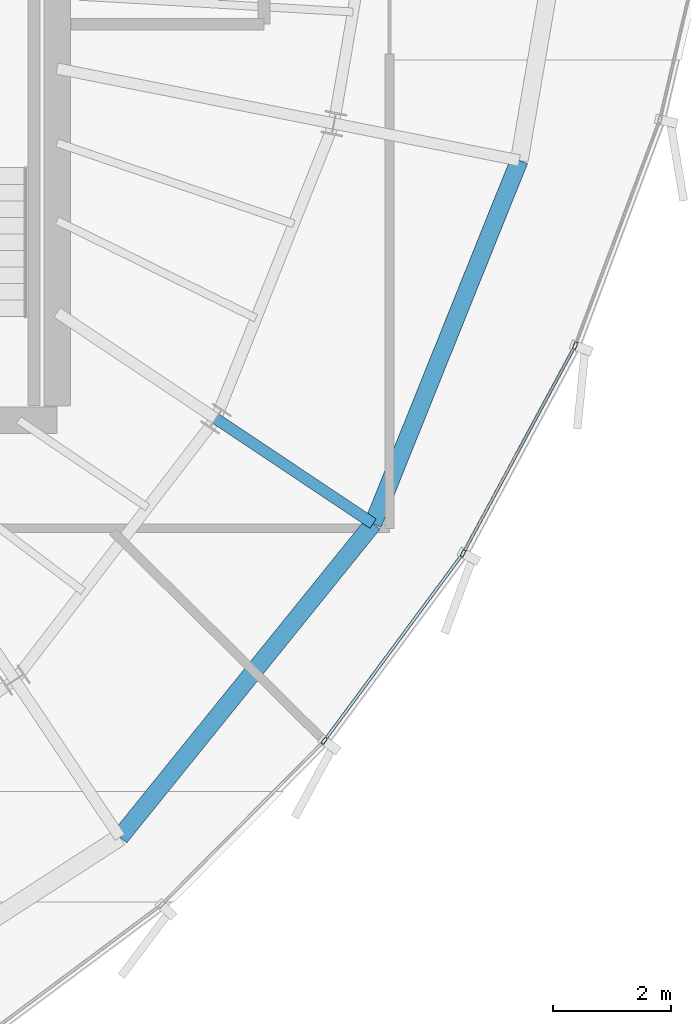
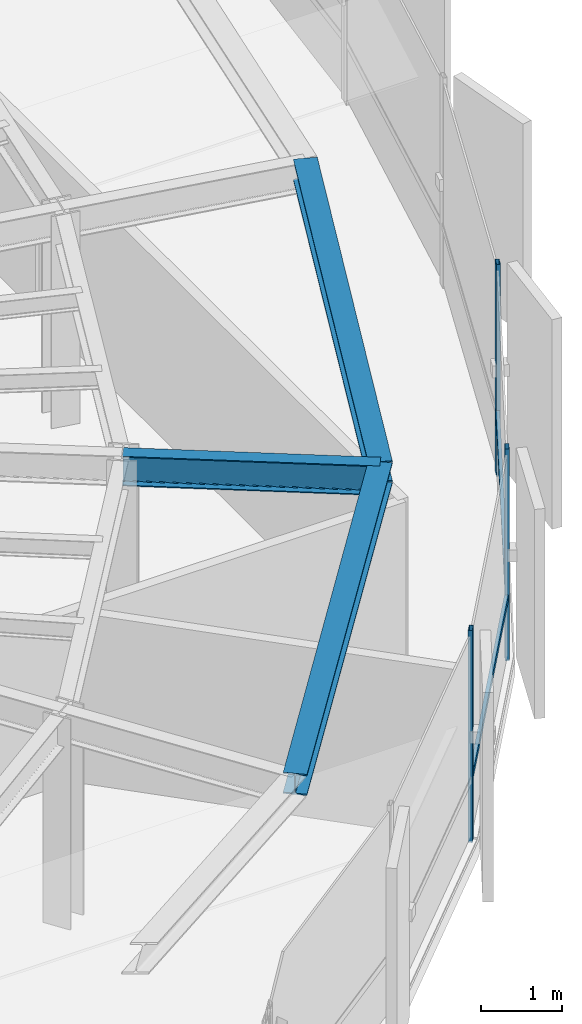
# One storey, part 13 of 33: 5 members, 3 beams, 1 element without a shape of its own.
"""IFC4 building model written with IfcOpenShell, lengths in metres."""

from ifc_helpers import new_model, si_unit, direction, frame, origin, origin_2d, place, context, subcontext, project, spatial, hollow_rectangle, i_section, extrude, source, transform, mapped, material, layer, layer_set, material_profile, profile_set, type_object, element, aggregate, save


model = new_model("IFC4")

# Units and contexts
model_context = context("Model", 3, precision=1e-05, world=origin(), true_north=direction((0.0, 1.0)))
body_context = subcontext(model_context, "Body", "Model", "MODEL_VIEW")
ifc_project = project(units=[si_unit("LENGTHUNIT", "METRE"), si_unit("AREAUNIT", "SQUARE_METRE"), si_unit("VOLUMEUNIT", "CUBIC_METRE"), si_unit("PLANEANGLEUNIT", "RADIAN"), si_unit("MASSUNIT", "GRAM", prefix="KILO"), si_unit("THERMODYNAMICTEMPERATUREUNIT", "KELVIN")], contexts=[model_context])

# Site, building, storey
site_placement = place(None, origin())
site = spatial("IfcSite", under=ifc_project, at=site_placement, CompositionType="ELEMENT")
building_placement = place(site_placement, origin())
building = spatial("IfcBuilding", under=site, at=building_placement, Name="Kethvar Cultural Tower", CompositionType="ELEMENT")
storey_placement = place(building_placement, frame((0.0, 0.0, 266.35009765625)))
storey = spatial("IfcBuildingStorey", under=building, at=storey_placement, Name="L70", CompositionType="ELEMENT", Elevation=266.35009765625)

# Beams
ifc_material_1 = material(Name="Steel S355J2", Category="steel")
ifc_material_profile_1 = material_profile(ifc_material_1, i_section(OverallWidth=0.18994140625, OverallDepth=0.449951171875, WebThickness=0.009521484375, FlangeThickness=0.0146484375, FilletRadius=0.02099609375, at=origin_2d()), Name="Steel S355J2 — IPE450")
ifc_profile_set_1 = profile_set([ifc_material_profile_1], Name="Steel S355J2 — IPE450")
beam_type_1 = type_object("IfcBeamType", Name="BM-IPE450", PredefinedType="BEAM", material=ifc_profile_set_1)
shared_shape_1 = source(origin(), body_context, "Body", "SweptSolid", [
    extrude(i_section(OverallWidth=0.18994140625, OverallDepth=0.449951171875, WebThickness=0.009521484375, FlangeThickness=0.0146484375, FilletRadius=0.02099609375, at=origin_2d()), origin(), (0.0, 0.0, 1.0), 3.199951171875),
])
beam_1_placement = place(storey_placement, frame((58.287109375, 20.12451171875, 2.98291015625), z_axis=(0.831462943996, -0.555580212716, 0.0), x_axis=(0.555580212716, 0.831462943996, 0.0)))
element("IfcBeam", 1, at=beam_1_placement, inside=storey, type_object=beam_type_1, Name="L70 Perimeter Cantilever Beam RC-15", PredefinedType="BEAM", context=body_context, shape_type="MappedRepresentation", body=[
    mapped(shared_shape_1, transform((0.0, 0.0, 0.0), scale=1.0)),
])
ifc_material_profile_2 = material_profile(ifc_material_1, i_section(OverallWidth=0.300048828125, OverallDepth=0.320068359375, WebThickness=0.011474609375, FlangeThickness=0.0205078125, FilletRadius=0.027099609375, at=origin_2d()), Name="Steel S355J2 — HEB320")
ifc_profile_set_2 = profile_set([ifc_material_profile_2], Name="Steel S355J2 — HEB320")
beam_type_2 = type_object("IfcBeamType", Name="BM-SP320", PredefinedType="SPANDREL", material=ifc_profile_set_2)
shared_shape_2 = source(origin(), body_context, "Body", "SweptSolid", [
    extrude(i_section(OverallWidth=0.300048828125, OverallDepth=0.320068359375, WebThickness=0.011474609375, FlangeThickness=0.0205078125, FilletRadius=0.027099609375, at=origin_2d()), origin(), (0.0, 0.0, 1.0), 6.8212890625),
])
beam_2_placement = place(storey_placement, frame((56.66259765625, 13.039306640625, 3.0478515625), z_axis=(0.628197971595, 0.778053538315, 0.0), x_axis=(-0.778053538315, 0.628197971595, 0.0)))
element("IfcBeam", 2, at=beam_2_placement, inside=storey, type_object=beam_type_2, Name="L70 Perimeter Spandrel Beam SP-14", PredefinedType="SPANDREL", context=body_context, shape_type="MappedRepresentation", body=[
    mapped(shared_shape_2, transform((0.0, 0.0, 0.0), scale=1.0)),
])
shared_shape_3 = source(origin(), body_context, "Body", "SweptSolid", [
    extrude(i_section(OverallWidth=0.300048828125, OverallDepth=0.320068359375, WebThickness=0.011474609375, FlangeThickness=0.0205078125, FilletRadius=0.027099609375, at=origin_2d()), origin(), (0.0, 0.0, 1.0), 6.626220703125),
])
beam_3_placement = place(storey_placement, frame((60.94775390625, 18.3466796875, 3.0478515625), z_axis=(0.373416224197, 0.927663906545, 0.0), x_axis=(-0.927663906545, 0.373416224197, 0.0)))
element("IfcBeam", 3, at=beam_3_placement, inside=storey, type_object=beam_type_2, Name="L70 Perimeter Spandrel Beam SP-15", PredefinedType="SPANDREL", context=body_context, shape_type="MappedRepresentation", body=[
    mapped(shared_shape_3, transform((0.0, 0.0, 0.0), scale=1.0)),
])

# Curtain wall, members
ifc_material_2 = material(Name="Aluminium 6063-T6", Category="aluminium")
ifc_layer = layer(ifc_material_2, 0.179931640625, Name="Aluminium 6063-T6", Category="aluminium")
ifc_layer_set = layer_set([ifc_layer], Name="Aluminium 6063-T6 (180 mm)")
curtain_wall_type = type_object("IfcCurtainWallType", Name="CW-SYS-05-Z56", PredefinedType="NOTDEFINED", material=ifc_layer_set)
curtain_wall_placement = place(storey_placement, origin())
curtain_wall = element("IfcCurtainWall", 4, at=curtain_wall_placement, inside=storey, type_object=curtain_wall_type, Name="L70 Curtain Wall Run 05", PredefinedType="NOTDEFINED")
ifc_material_profile_3 = material_profile(ifc_material_2, hollow_rectangle(XDim=0.054931640625, YDim=0.1201171875, WallThickness=0.00390625, at=origin_2d()), Name="Aluminium 6063-T6 — RHS120x55x4")
ifc_profile_set_3 = profile_set([ifc_material_profile_3], Name="Aluminium 6063-T6 — RHS120x55x4")
member_type_1 = type_object("IfcMemberType", Name="CW-SYS-05-Z56-MUL", PredefinedType="MULLION", material=ifc_profile_set_3)
shared_shape_4 = source(origin(), body_context, "Body", "SweptSolid", [
    extrude(hollow_rectangle(XDim=0.054931640625, YDim=0.1201171875, WallThickness=0.00390625, at=origin_2d()), origin(), (0.0, 0.0, 1.0), 3.2099609375),
])
member_1_placement = place(storey_placement, frame((60.12158203125, 14.67138671875, 0.0), z_axis=(0.0, 0.0, 1.0), x_axis=(-0.803836096895, 0.594850846287, 0.0)))
member_1 = element("IfcMember", 5, at=member_1_placement, type_object=member_type_1, Name="CW-L70-R05 Mullion 3", PredefinedType="MULLION", context=body_context, shape_type="MappedRepresentation", body=[
    mapped(shared_shape_4, transform((0.0, 0.0, 0.0), scale=1.0)),
])
member_2_placement = place(storey_placement, frame((62.471923828125, 17.845947265625, 0.0), z_axis=(0.0, 0.0, 1.0), x_axis=(-0.880154447954, 0.474687421096, 0.0)))
member_2 = element("IfcMember", 6, at=member_2_placement, type_object=member_type_1, Name="CW-L70-R05 Mullion 4", PredefinedType="MULLION", context=body_context, shape_type="MappedRepresentation", body=[
    mapped(shared_shape_4, transform((0.0, 0.0, 0.0), scale=1.0)),
])
member_3_placement = place(storey_placement, frame((64.3671875, 21.35791015625, 0.0), z_axis=(0.0, 0.0, 1.0), x_axis=(-0.93638459736, 0.350975619991, 0.0)))
member_3 = element("IfcMember", 7, at=member_3_placement, type_object=member_type_1, Name="CW-L70-R05 Mullion 5", PredefinedType="MULLION", context=body_context, shape_type="MappedRepresentation", body=[
    mapped(shared_shape_4, transform((0.0, 0.0, 0.0), scale=1.0)),
])
ifc_material_profile_4 = material_profile(ifc_material_2, hollow_rectangle(XDim=0.050048828125, YDim=0.10009765625, WallThickness=0.00390625, at=origin_2d()), Name="Aluminium 6063-T6 — RHS100x50x4")
ifc_profile_set_4 = profile_set([ifc_material_profile_4], Name="Aluminium 6063-T6 — RHS100x50x4")
member_type_2 = type_object("IfcMemberType", Name="CW-SYS-05-Z56-TRN", PredefinedType="USERDEFINED", material=ifc_profile_set_4)
shared_shape_5 = source(origin(), body_context, "Body", "SweptSolid", [
    extrude(hollow_rectangle(XDim=0.050048828125, YDim=0.10009765625, WallThickness=0.00390625, at=origin_2d()), origin(), (0.0, 0.0, 1.0), 3.925048828125),
])
member_4_placement = place(storey_placement, frame((62.49072265625, 17.880615234375, 0.949951171875), z_axis=(0.474715436575, 0.88013933799, 0.0), x_axis=(-0.88013933799, 0.474715436575, 0.0)))
member_4 = element("IfcMember", 8, at=member_4_placement, type_object=member_type_2, Name="CW-L70-R05 Transom 4", ObjectType="TRANSOM", PredefinedType="USERDEFINED", context=body_context, shape_type="MappedRepresentation", body=[
    mapped(shared_shape_5, transform((0.0, 0.0, 0.0), scale=1.0)),
])
shared_shape_6 = source(origin(), body_context, "Body", "SweptSolid", [
    extrude(hollow_rectangle(XDim=0.050048828125, YDim=0.10009765625, WallThickness=0.00390625, at=origin_2d()), origin(), (0.0, 0.0, 1.0), 3.884765625),
])
member_5_placement = place(storey_placement, frame((60.145263671875, 14.703369140625, 0.949951171875), z_axis=(0.59482919856, 0.803852116089, 0.0), x_axis=(-0.803852116089, 0.59482919856, 0.0)))
member_5 = element("IfcMember", 9, at=member_5_placement, type_object=member_type_2, Name="CW-L70-R05 Transom 3", ObjectType="TRANSOM", PredefinedType="USERDEFINED", context=body_context, shape_type="MappedRepresentation", body=[
    mapped(shared_shape_6, transform((0.0, 0.0, 0.0), scale=1.0)),
])
aggregate(curtain_wall, [member_1, member_2, member_3, member_5, member_4])

save(model, "model.ifc")
